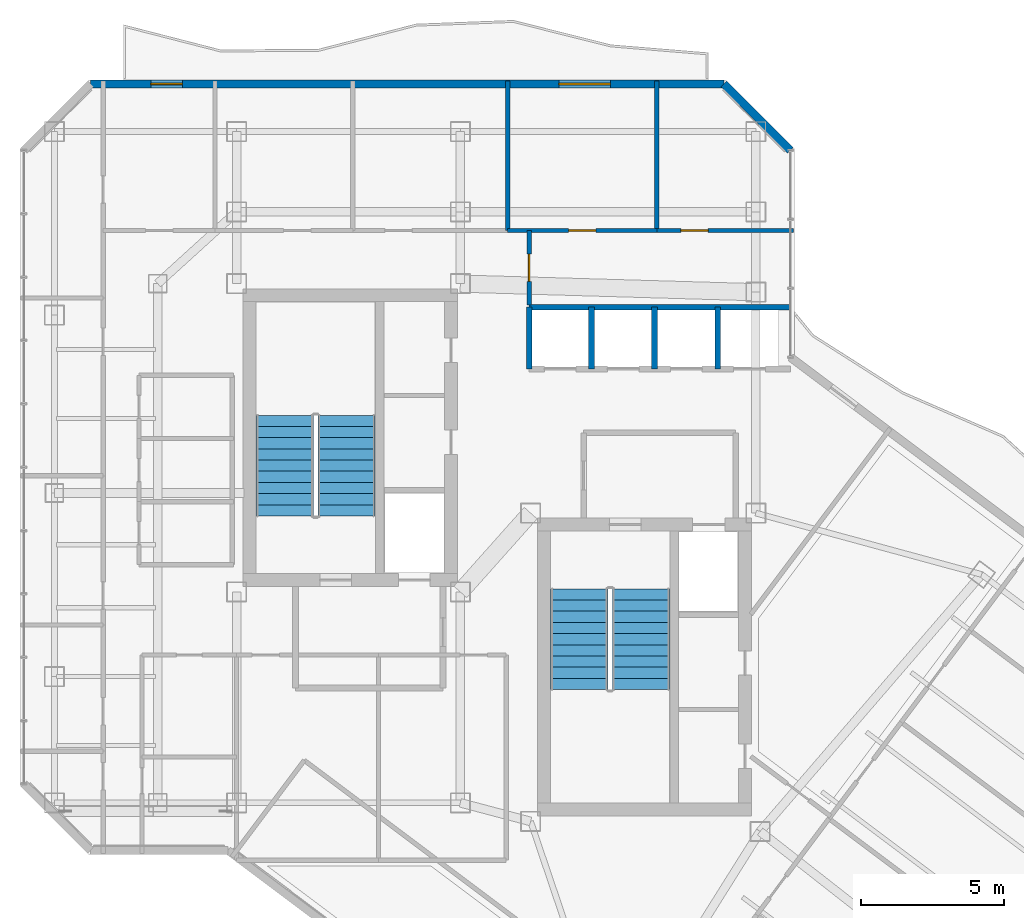
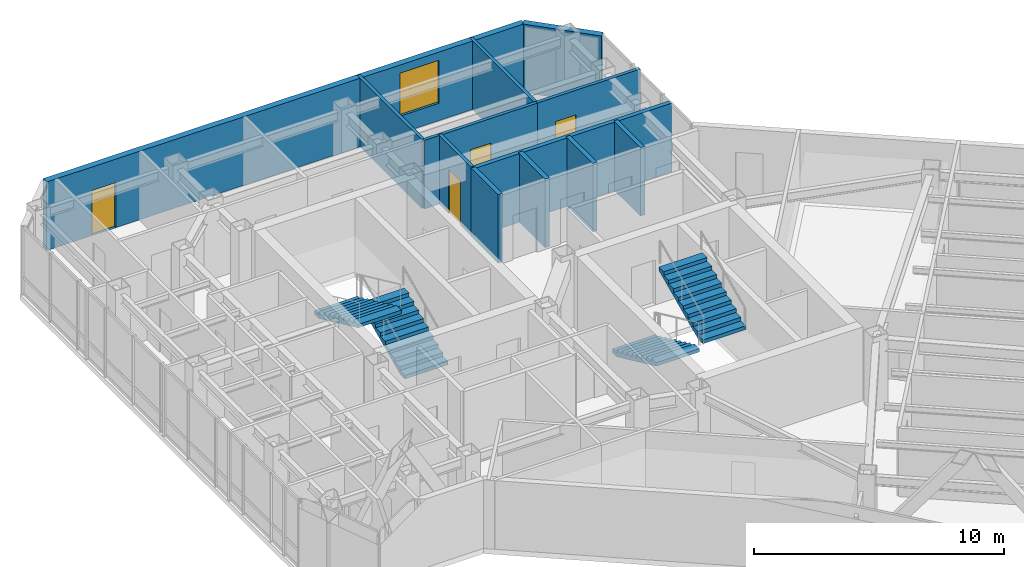
# One storey, part 22 of 25: 12 walls, 4 doors, 4 stair flights, 1 window, 5 openings, 2 elements without a shape of their own.
"""IFC4 building model written with IfcOpenShell, lengths in metres."""

from ifc_helpers import new_model, si_unit, direction, frame, frame_2d, origin, place, context, subcontext, project, spatial, polyline, rectangle, outline, extrude, material, layer, layer_set, type_object, element, fill, aggregate, save


model = new_model("IFC4")

# Units and contexts
model_context = context("Model", 3, precision=1e-05, world=origin(), true_north=direction((0.0, 1.0)))
body_context = subcontext(model_context, "Body", "Model", "MODEL_VIEW")
ifc_project = project(units=[si_unit("LENGTHUNIT", "METRE"), si_unit("AREAUNIT", "SQUARE_METRE"), si_unit("VOLUMEUNIT", "CUBIC_METRE"), si_unit("PLANEANGLEUNIT", "RADIAN"), si_unit("MASSUNIT", "GRAM", prefix="KILO")], contexts=[model_context])

# Site, building, storey
site_placement = place(None, origin())
site = spatial("IfcSite", under=ifc_project, at=site_placement, CompositionType="ELEMENT")
building_placement = place(site_placement, origin())
building = spatial("IfcBuilding", under=site, at=building_placement, Name="Hatsunagi Terrace Concourse", CompositionType="ELEMENT")
storey_placement = place(building_placement, frame((0.0, 0.0, 223.949951171875)))
storey = spatial("IfcBuildingStorey", under=building, at=storey_placement, Name="L59", CompositionType="ELEMENT", Elevation=223.949951171875)

# Wall
ifc_material_1 = material(Name="Acoustic mineral board", Category="gypsum")
ifc_layer_1 = layer(ifc_material_1, 0.14990234375)
ifc_layer_set_1 = layer_set([ifc_layer_1], Name="PartitionWall_EI60_150")
wall_type_1 = type_object("IfcWallType", Name="PartitionWall_EI60_150", PredefinedType="PARTITIONING", material=ifc_layer_set_1)
wall_1_placement = place(storey_placement, frame((35.0, 45.14990234375, 0.0), z_axis=(0.0, 0.0, 1.0), x_axis=(0.0, 1.0, 0.0)))
element("IfcWall", 1, at=wall_1_placement, inside=storey, type_object=wall_type_1, Name="Interior Partition IW-L59-046", PredefinedType="PARTITIONING", context=body_context, shape_type="SweptSolid", body=[
    extrude(rectangle(XDim=5.210205078125, YDim=0.14990234375, at=frame_2d((2.60498046875, 0.0))), origin(), (0.0, 0.0, 1.0), 3.35009765625),
])

# Wall, opening, door
wall_2_placement = place(storey_placement, frame((35.0, 45.14990234375, 0.0), z_axis=(0.0, 0.0, 1.0), x_axis=(1.0, 0.0, 0.0)))
wall_2 = element("IfcWall", 2, at=wall_2_placement, inside=storey, type_object=wall_type_1, Name="Interior Partition IW-L59-047", PredefinedType="PARTITIONING", context=body_context, shape_type="SweptSolid", body=[
    extrude(rectangle(XDim=5.199951171875, YDim=0.14990234375, at=frame_2d((2.60009765625, 0.0))), origin(), (0.0, 0.0, 1.0), 3.35009765625),
])
opening_1_placement = place(wall_2_placement, frame((2.125, 0.0, 0.0)))
opening_1 = element("IfcOpeningElement", 3, at=opening_1_placement, cuts=wall_2, Name="Opening DR-095", PredefinedType="OPENING", context=body_context, shape_type="SweptSolid", body=[
    extrude(rectangle(XDim=0.949951171875, YDim=2.14990234375, at=frame_2d((0.47509765625, 1.074951171875))), frame((0.0, 0.0849609375, 0.0), z_axis=(0.0, -1.0, 0.0), x_axis=(1.0, 0.0, 0.0)), (0.0, 0.0, 1.0), 0.169921875),
])
ifc_material_2 = material(Name="Hardwood timber", Category="wood")
door_type_1 = type_object("IfcDoorType", Name="InteriorSuiteDoor_EI30_950", OperationType="NOTDEFINED", PredefinedType="DOOR", material=ifc_material_2)
door_1_placement = place(opening_1_placement, origin())
door_1 = element("IfcDoor", 4, at=door_1_placement, inside=storey, type_object=door_type_1, Name="Breakout Pantry L59-ON4 Door", OperationType="SINGLE_SWING_RIGHT", OverallHeight=2.14990234375, OverallWidth=0.949951171875, PredefinedType="DOOR", context=body_context, shape_type="SweptSolid", body=[
    extrude(rectangle(XDim=0.949951171875, YDim=2.14990234375, at=frame_2d((0.47509765625, 1.074951171875))), frame((0.0, 0.02490234375, 0.0), z_axis=(0.0, -1.0, 0.0), x_axis=(1.0, 0.0, 0.0)), (0.0, 0.0, 1.0), 0.050048828125),
])
fill(opening_1, door_1)

# Wall
wall_3_placement = place(storey_placement, frame((40.199951171875, 45.14990234375, 0.0), z_axis=(0.0, 0.0, 1.0), x_axis=(0.0, 1.0, 0.0)))
element("IfcWall", 5, at=wall_3_placement, inside=storey, type_object=wall_type_1, Name="Interior Partition IW-L59-048", PredefinedType="PARTITIONING", context=body_context, shape_type="SweptSolid", body=[
    extrude(rectangle(XDim=5.210205078125, YDim=0.14990234375, at=frame_2d((2.60498046875, 0.0))), origin(), (0.0, 0.0, 1.0), 3.35009765625),
])

# Wall, opening, door
wall_4_placement = place(storey_placement, frame((40.199951171875, 45.14990234375, 0.0), z_axis=(0.0, 0.0, 1.0), x_axis=(1.0, 0.0, 0.0)))
wall_4 = element("IfcWall", 6, at=wall_4_placement, inside=storey, type_object=wall_type_1, Name="Interior Partition IW-L59-049", PredefinedType="PARTITIONING", context=body_context, shape_type="SweptSolid", body=[
    extrude(rectangle(XDim=4.760009765625, YDim=0.14990234375, at=frame_2d((2.3798828125, 0.0))), origin(), (0.0, 0.0, 1.0), 3.35009765625),
])
opening_2_placement = place(wall_4_placement, frame((0.8369140625, 0.0, 0.0)))
opening_2 = element("IfcOpeningElement", 7, at=opening_2_placement, cuts=wall_4, Name="Opening DR-095", PredefinedType="OPENING", context=body_context, shape_type="SweptSolid", body=[
    extrude(rectangle(XDim=0.949951171875, YDim=2.14990234375, at=frame_2d((0.47509765625, 1.074951171875))), frame((0.0, 0.0849609375, 0.0), z_axis=(0.0, -1.0, 0.0), x_axis=(1.0, 0.0, 0.0)), (0.0, 0.0, 1.0), 0.169921875),
])
door_2_placement = place(opening_2_placement, origin())
door_2 = element("IfcDoor", 8, at=door_2_placement, inside=storey, type_object=door_type_1, Name="Executive Briefing Room L59-ON5 Door", OperationType="SINGLE_SWING_RIGHT", OverallHeight=2.14990234375, OverallWidth=0.949951171875, PredefinedType="DOOR", context=body_context, shape_type="SweptSolid", body=[
    extrude(rectangle(XDim=0.949951171875, YDim=2.14990234375, at=frame_2d((0.47509765625, 1.074951171875))), frame((0.0, 0.02490234375, 0.0), z_axis=(0.0, -1.0, 0.0), x_axis=(1.0, 0.0, 0.0)), (0.0, 0.0, 1.0), 0.050048828125),
])
fill(opening_2, door_2)

wall_5_placement = place(storey_placement, frame((35.75, 42.550048828125, 0.0), z_axis=(0.0, 0.0, 1.0), x_axis=(0.0, 1.0, 0.0)))
wall_5 = element("IfcWall", 9, at=wall_5_placement, inside=storey, type_object=wall_type_1, Name="Interior Partition IW-L59-066", PredefinedType="PARTITIONING", context=body_context, shape_type="SweptSolid", body=[
    extrude(rectangle(XDim=2.599853515625, YDim=0.14990234375, at=frame_2d((1.2998046875, 0.0))), origin(), (0.0, 0.0, 1.0), 3.35009765625),
])
opening_3_placement = place(wall_5_placement, frame((0.824951171875, 0.0, 0.0)))
opening_3 = element("IfcOpeningElement", 10, at=opening_3_placement, cuts=wall_5, Name="Opening DR-095", PredefinedType="OPENING", context=body_context, shape_type="SweptSolid", body=[
    extrude(rectangle(XDim=0.949951171875, YDim=2.14990234375, at=frame_2d((0.47509765625, 1.074951171875))), frame((0.0, 0.0849609375, 0.0), z_axis=(0.0, -1.0, 0.0), x_axis=(1.0, 0.0, 0.0)), (0.0, 0.0, 1.0), 0.169921875),
])
door_3_placement = place(opening_3_placement, origin())
door_3 = element("IfcDoor", 11, at=door_3_placement, inside=storey, type_object=door_type_1, Name="Executive Briefing Room L59-ONEB Door", OperationType="SINGLE_SWING_RIGHT", OverallHeight=2.14990234375, OverallWidth=0.949951171875, PredefinedType="DOOR", context=body_context, shape_type="SweptSolid", body=[
    extrude(rectangle(XDim=0.949951171875, YDim=2.14990234375, at=frame_2d((0.47509765625, 1.074951171875))), frame((0.0, 0.02490234375, 0.0), z_axis=(0.0, -1.0, 0.0), x_axis=(1.0, 0.0, 0.0)), (0.0, 0.0, 1.0), 0.050048828125),
])
fill(opening_3, door_3)

# Walls
ifc_material_3 = material(Name="Acoustic mineral board", Category="gypsum")
ifc_layer_2 = layer(ifc_material_3, 0.199951171875)
ifc_layer_set_2 = layer_set([ifc_layer_2], Name="ShaftWall_EI120_200")
wall_type_2 = type_object("IfcWallType", Name="ShaftWall_EI120_200", PredefinedType="STANDARD", material=ifc_layer_set_2)
wall_6_placement = place(storey_placement, frame((35.75, 42.47998046875, 0.0), z_axis=(0.0, 0.0, 1.0), x_axis=(1.0, 0.0, 0.0)))
element("IfcWall", 12, at=wall_6_placement, inside=storey, type_object=wall_type_2, Name="Interior Partition IW-L59-011", PredefinedType="STANDARD", context=body_context, shape_type="SweptSolid", body=[
    extrude(rectangle(XDim=9.110107421875, YDim=0.199951171875, at=frame_2d((4.55517578125, 0.0))), origin(), (0.0, 0.0, 1.0), 3.35009765625),
])
for number, where, z_axis, x_axis, name in (
    (13, (35.75, 40.320068359375, 0.0), (0.0, 0.0, 1.0), (0.0, 1.0, 0.0), "Interior Partition IW-L59-012"),
    (14, (37.919921875, 40.320068359375, 0.0), (0.0, 0.0, 1.0), (0.0, 1.0, 0.0), "Interior Partition IW-L59-013"),
    (15, (40.1201171875, 40.320068359375, 0.0), (0.0, 0.0, 1.0), (0.0, 1.0, 0.0), "Interior Partition IW-L59-014"),
    (16, (42.320068359375, 40.320068359375, 0.0), (0.0, 0.0, 1.0), (0.0, 1.0, 0.0), "Interior Partition IW-L59-015"),
):
    element("IfcWall", number, at=place(storey_placement, frame(where, z_axis=z_axis, x_axis=x_axis)), inside=storey, type_object=wall_type_2, Name=name, PredefinedType="STANDARD", context=body_context, shape_type="SweptSolid", body=[
        extrude(rectangle(XDim=2.159912109375, YDim=0.199951171875, at=frame_2d((1.080078125, 0.0))), origin(), (0.0, 0.0, 1.0), 3.35009765625),
    ])

# Wall, openings, door, window
ifc_material_4 = material(Name="Autoclaved Lightweight Concrete and Terracotta Cladding", Category="masonry")
ifc_layer_3 = layer(ifc_material_4, 0.280029296875)
ifc_layer_set_3 = layer_set([ifc_layer_3], Name="TerracottaSpandrelWall_280")
wall_type_3 = type_object("IfcWallType", Name="TerracottaSpandrelWall_280", PredefinedType="STANDARD", material=ifc_layer_set_3)
wall_7_placement = place(storey_placement, frame((20.4580078125, 50.260009765625, 0.0), z_axis=(0.0, 0.0, 1.0), x_axis=(1.0, 0.0, 0.0)))
wall_7 = element("IfcWall", 17, at=wall_7_placement, inside=storey, type_object=wall_type_3, Name="Exterior Spandrel Wall EW-L59-10", PredefinedType="STANDARD", context=body_context, shape_type="SweptSolid", body=[
    extrude(rectangle(XDim=22.083984375, YDim=0.280029296875, at=frame_2d((11.0419921875, 0.0))), origin(), (0.0, 0.0, 1.0), 3.35009765625),
])
opening_4_placement = place(wall_7_placement, frame((2.10009765625, 0.0, 0.0)))
opening_4 = element("IfcOpeningElement", 18, at=opening_4_placement, cuts=wall_7, Name="Opening BD-01", PredefinedType="OPENING", context=body_context, shape_type="SweptSolid", body=[
    extrude(rectangle(XDim=1.10009765625, YDim=2.199951171875, at=frame_2d((0.550048828125, 1.10009765625))), frame((0.0, 0.14990234375, 0.0), z_axis=(0.0, -1.0, 0.0), x_axis=(1.0, 0.0, 0.0)), (0.0, 0.0, 1.0), 0.300048828125),
])
opening_5_placement = place(wall_7_placement, frame((16.325927734375, 0.0, 0.85009765625)))
opening_5 = element("IfcOpeningElement", 19, at=opening_5_placement, cuts=wall_7, Name="Opening WIN-03", PredefinedType="OPENING", context=body_context, shape_type="SweptSolid", body=[
    extrude(rectangle(XDim=1.800048828125, YDim=2.10009765625, at=frame_2d((0.89990234375, 1.050048828125))), frame((0.0, 0.14990234375, 0.0), z_axis=(0.0, -1.0, 0.0), x_axis=(1.0, 0.0, 0.0)), (0.0, 0.0, 1.0), 0.300048828125),
])
ifc_material_5 = material(Name="Galvanised Steel and Laminated Safety Glass", Category="steel")
door_type_2 = type_object("IfcDoorType", Name="BalconyTerraceAccessDoor_1100x2200", OperationType="SINGLE_SWING_LEFT", PredefinedType="DOOR", material=ifc_material_5)
door_4_placement = place(opening_4_placement, origin())
door_4 = element("IfcDoor", 20, at=door_4_placement, inside=storey, type_object=door_type_2, Name="Engawa Balcony Door L59-BN", OperationType="SINGLE_SWING_RIGHT", OverallHeight=2.199951171875, OverallWidth=1.10009765625, PredefinedType="DOOR", context=body_context, shape_type="SweptSolid", body=[
    extrude(rectangle(XDim=1.10009765625, YDim=2.199951171875, at=frame_2d((0.550048828125, 1.10009765625))), frame((0.0, 0.02490234375, 0.0), z_axis=(0.0, -1.0, 0.0), x_axis=(1.0, 0.0, 0.0)), (0.0, 0.0, 1.0), 0.050048828125),
])
fill(opening_4, door_4)
ifc_material_6 = material(Name="Thermally Broken Aluminium and Low-E Triple Glazing", Category="aluminium")
window_type = type_object("IfcWindowType", Name="OfficeCornerFeatureWindow_1800x2100", PartitioningType="SINGLE_PANEL", PredefinedType="WINDOW", material=ifc_material_6)
window_placement = place(opening_5_placement, origin())
window = element("IfcWindow", 21, at=window_placement, inside=storey, type_object=window_type, Name="Balcony Daylighting Window L59-10-1", OverallHeight=2.10009765625, OverallWidth=1.800048828125, PartitioningType="SINGLE_PANEL", PredefinedType="WINDOW", context=body_context, shape_type="SweptSolid", body=[
    extrude(rectangle(XDim=1.800048828125, YDim=2.10009765625, at=frame_2d((0.89990234375, 1.050048828125))), frame((0.0, 0.030029296875, 0.0), z_axis=(0.0, -1.0, 0.0), x_axis=(1.0, 0.0, 0.0)), (0.0, 0.0, 1.0), 0.06005859375),
])
fill(opening_5, window)

# Wall
wall_8_placement = place(storey_placement, frame((42.5419921875, 50.260009765625, 0.0), z_axis=(0.0, 0.0, 1.0), x_axis=(0.707106781187, -0.707106781187, 0.0)))
element("IfcWall", 22, at=wall_8_placement, inside=storey, type_object=wall_type_3, Name="Exterior Spandrel Wall EW-L59-11", PredefinedType="STANDARD", context=body_context, shape_type="SweptSolid", body=[
    extrude(rectangle(XDim=3.2783203125, YDim=0.280029296875, at=frame_2d((1.63916015625, 0.0))), origin(), (0.0, 0.0, 1.0), 3.35009765625),
])

# Stair, stair flights
ifc_material_7 = material(Name="Concrete Fc42", Category="concrete")
stair_type = type_object("IfcStairType", Name="DoglegExitStair_Tower2000_20R_180", PredefinedType="HALF_TURN_STAIR", material=ifc_material_7)
stair_1_placement = place(storey_placement, origin())
stair_1 = element("IfcStair", 23, at=stair_1_placement, inside=storey, type_object=stair_type, Name="L59 Core A Protected Exit Stair ST-A", PredefinedType="HALF_TURN_STAIR")
ifc_material_8 = material(Name="Concrete Fc42", Category="concrete")
stair_flight_type = type_object("IfcStairFlightType", Name="DoglegStairFlight_Tower2000_20R_180", PredefinedType="STRAIGHT", material=ifc_material_8)
stair_flight_1_placement = place(storey_placement, frame((29.3798828125, 35.199951171875, 0.0), z_axis=(0.0, 0.0, 1.0), x_axis=(0.0, 1.0, 0.0)))
stair_flight_1 = element("IfcStairFlight", 24, at=stair_flight_1_placement, type_object=stair_flight_type, Name="ST-A flight 1", NumberOfRisers=10, NumberOfTreads=9, PredefinedType="STRAIGHT", RiserHeight=0.18, TreadLength=0.39, context=body_context, shape_type="SweptSolid", body=[
    extrude(outline(polyline([(0.0, 0.0), (0.0, 0.179931640625), (0.389892578125, 0.179931640625), (0.389892578125, 0.360107421875), (0.780029296875, 0.360107421875), (0.780029296875, 0.5400390625), (1.169921875, 0.5400390625), (1.169921875, 0.719970703125), (1.56005859375, 0.719970703125), (1.56005859375, 0.89990234375), (1.949951171875, 0.89990234375), (1.949951171875, 1.080078125), (2.340087890625, 1.080078125), (2.340087890625, 1.260009765625), (2.72998046875, 1.260009765625), (2.72998046875, 1.43994140625), (3.1201171875, 1.43994140625), (3.1201171875, 1.6201171875), (3.510009765625, 1.6201171875), (3.510009765625, 1.800048828125), (3.510009765625, 1.454833984375), (0.357666015625, 0.0), (0.0, 0.0)])), frame((0.0, 1.0, 0.0), z_axis=(0.0, -1.0, 0.0), x_axis=(1.0, 0.0, 0.0)), (0.0, 0.0, 1.0), 2.0),
])
stair_flight_2_placement = place(storey_placement, frame((27.22998046875, 38.7099609375, 1.800048828125), z_axis=(0.0, 0.0, 1.0), x_axis=(0.0, -1.0, 0.0)))
stair_flight_2 = element("IfcStairFlight", 25, at=stair_flight_2_placement, type_object=stair_flight_type, Name="ST-A flight 2", NumberOfRisers=10, NumberOfTreads=9, PredefinedType="STRAIGHT", RiserHeight=0.18, TreadLength=0.39, context=body_context, shape_type="SweptSolid", body=[
    extrude(outline(polyline([(0.0, 0.0), (0.0, 0.179931640625), (0.389892578125, 0.179931640625), (0.389892578125, 0.360107421875), (0.780029296875, 0.360107421875), (0.780029296875, 0.5400390625), (1.169921875, 0.5400390625), (1.169921875, 0.719970703125), (1.56005859375, 0.719970703125), (1.56005859375, 0.89990234375), (1.949951171875, 0.89990234375), (1.949951171875, 1.080078125), (2.340087890625, 1.080078125), (2.340087890625, 1.260009765625), (2.72998046875, 1.260009765625), (2.72998046875, 1.43994140625), (3.1201171875, 1.43994140625), (3.1201171875, 1.6201171875), (3.510009765625, 1.6201171875), (3.510009765625, 1.800048828125), (3.510009765625, 1.454833984375), (0.357666015625, 0.0), (0.0, 0.0)])), frame((0.0, 1.0, 0.0), z_axis=(0.0, -1.0, 0.0), x_axis=(1.0, 0.0, 0.0)), (0.0, 0.0, 1.0), 2.0),
])
aggregate(stair_1, [stair_flight_1, stair_flight_2])

stair_2_placement = place(storey_placement, origin())
stair_2 = element("IfcStair", 26, at=stair_2_placement, inside=storey, type_object=stair_type, Name="L59 Core B Protected Exit Stair ST-B", PredefinedType="HALF_TURN_STAIR")
stair_flight_3_placement = place(storey_placement, frame((37.5, 32.659912109375, 0.0), z_axis=(0.0, 0.0, 1.0), x_axis=(0.0, -1.0, 0.0)))
stair_flight_3 = element("IfcStairFlight", 27, at=stair_flight_3_placement, type_object=stair_flight_type, Name="ST-B flight 1", NumberOfRisers=10, NumberOfTreads=9, PredefinedType="STRAIGHT", RiserHeight=0.18, TreadLength=0.39, context=body_context, shape_type="SweptSolid", body=[
    extrude(outline(polyline([(0.0, 0.0), (0.0, 0.179931640625), (0.389892578125, 0.179931640625), (0.389892578125, 0.360107421875), (0.780029296875, 0.360107421875), (0.780029296875, 0.5400390625), (1.169921875, 0.5400390625), (1.169921875, 0.719970703125), (1.56005859375, 0.719970703125), (1.56005859375, 0.89990234375), (1.949951171875, 0.89990234375), (1.949951171875, 1.080078125), (2.340087890625, 1.080078125), (2.340087890625, 1.260009765625), (2.72998046875, 1.260009765625), (2.72998046875, 1.43994140625), (3.1201171875, 1.43994140625), (3.1201171875, 1.6201171875), (3.510009765625, 1.6201171875), (3.510009765625, 1.800048828125), (3.510009765625, 1.454833984375), (0.357666015625, 0.0), (0.0, 0.0)])), frame((0.0, 1.0, 0.0), z_axis=(0.0, -1.0, 0.0), x_axis=(1.0, 0.0, 0.0)), (0.0, 0.0, 1.0), 2.0),
])
stair_flight_4_placement = place(storey_placement, frame((39.64990234375, 29.14990234375, 1.800048828125), z_axis=(0.0, 0.0, 1.0), x_axis=(0.0, 1.0, 0.0)))
stair_flight_4 = element("IfcStairFlight", 28, at=stair_flight_4_placement, type_object=stair_flight_type, Name="ST-B flight 2", NumberOfRisers=10, NumberOfTreads=9, PredefinedType="STRAIGHT", RiserHeight=0.18, TreadLength=0.39, context=body_context, shape_type="SweptSolid", body=[
    extrude(outline(polyline([(0.0, 0.0), (0.0, 0.179931640625), (0.389892578125, 0.179931640625), (0.389892578125, 0.360107421875), (0.780029296875, 0.360107421875), (0.780029296875, 0.5400390625), (1.169921875, 0.5400390625), (1.169921875, 0.719970703125), (1.56005859375, 0.719970703125), (1.56005859375, 0.89990234375), (1.949951171875, 0.89990234375), (1.949951171875, 1.080078125), (2.340087890625, 1.080078125), (2.340087890625, 1.260009765625), (2.72998046875, 1.260009765625), (2.72998046875, 1.43994140625), (3.1201171875, 1.43994140625), (3.1201171875, 1.6201171875), (3.510009765625, 1.6201171875), (3.510009765625, 1.800048828125), (3.510009765625, 1.454833984375), (0.357666015625, 0.0), (0.0, 0.0)])), frame((0.0, 1.0, 0.0), z_axis=(0.0, -1.0, 0.0), x_axis=(1.0, 0.0, 0.0)), (0.0, 0.0, 1.0), 2.0),
])
aggregate(stair_2, [stair_flight_3, stair_flight_4])

save(model, "model.ifc")
